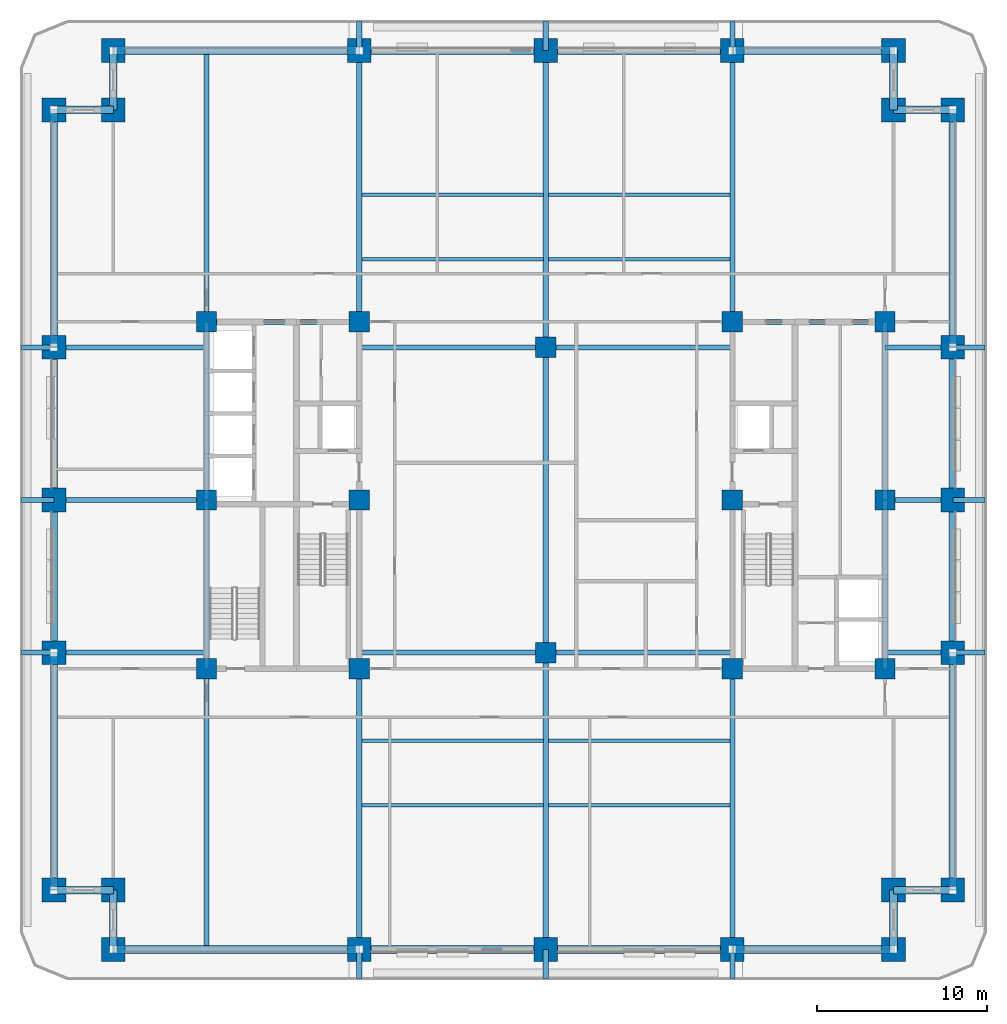
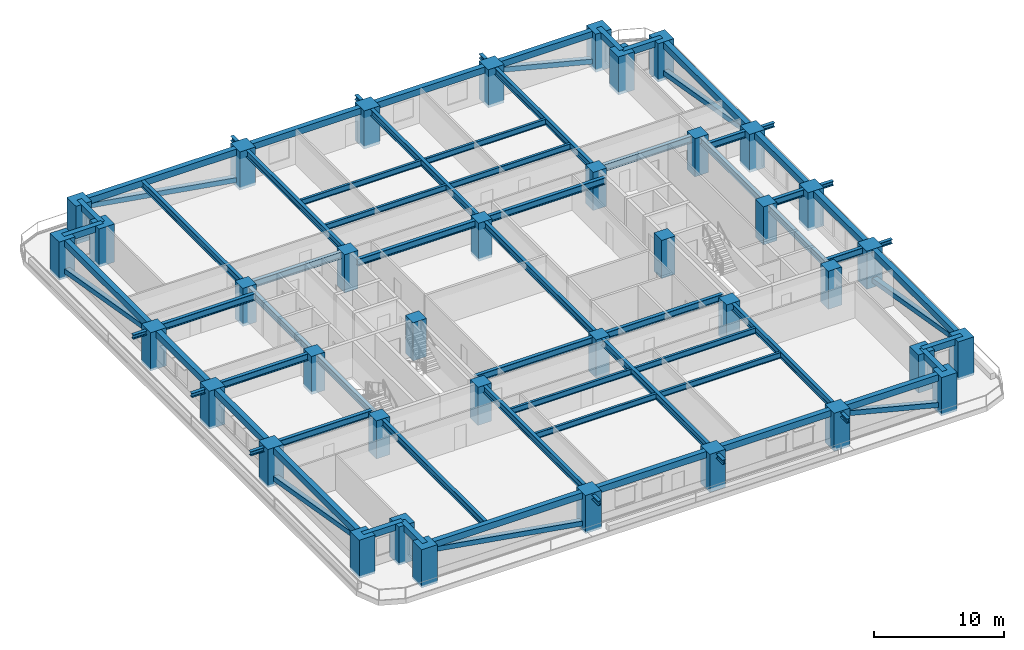
# One storey, part 1 of 14: 69 beams, 38 columns, 8 members.
"""IFC4 building model written with IfcOpenShell, lengths in metres."""

from ifc_helpers import new_model, si_unit, direction, frame, origin, origin_2d, place, context, subcontext, project, spatial, rectangle, hollow_rectangle, i_section, extrude, material, material_profile, profile_set, type_object, element, save


model = new_model("IFC4")

# Units and contexts
model_context = context("Model", 3, precision=1e-05, world=origin(), true_north=direction((0.0, 1.0)))
body_context = subcontext(model_context, "Body", "Model", "MODEL_VIEW")
ifc_project = project(units=[si_unit("LENGTHUNIT", "METRE"), si_unit("AREAUNIT", "SQUARE_METRE"), si_unit("VOLUMEUNIT", "CUBIC_METRE"), si_unit("PLANEANGLEUNIT", "RADIAN"), si_unit("MASSUNIT", "GRAM", prefix="KILO")], contexts=[model_context])

# Site, building, storey
site_placement = place(None, origin())
site = spatial("IfcSite", under=ifc_project, at=site_placement, CompositionType="ELEMENT")
building_placement = place(site_placement, origin())
building = spatial("IfcBuilding", under=site, at=building_placement, Name="Zulmaris Gate Convention Tower", CompositionType="ELEMENT")
storey_placement = place(building_placement, frame((0.0, 0.0, 64.329833984375)))
storey = spatial("IfcBuildingStorey", under=building, at=storey_placement, Name="L15", CompositionType="ELEMENT", Elevation=64.329833984375)

# Columns
ifc_material_1 = material(Name="Concrete C70/85", Category="concrete")
ifc_material_profile_1 = material_profile(ifc_material_1, rectangle(XDim=1.199951171875, YDim=1.199951171875, at=origin_2d()), Name="RC COL 1200x1200")
ifc_profile_set_1 = profile_set([ifc_material_profile_1], Name="Concrete C70/85")
column_type_1 = type_object("IfcColumnType", Name="COL-RC1200", PredefinedType="COLUMN", material=ifc_profile_set_1)
for number, where, z_axis, x_axis, name in (
    (1, (-20.0, -9.949951171875, -0.25), (0.0, 0.0, 1.0), (1.0, 0.0, 0.0), "L15 Column IN--20.00_-9.95"),
    (2, (-20.0, 10.5, -0.25), (0.0, 0.0, 1.0), (1.0, 0.0, 0.0), "L15 Column IN--20.00_+10.50"),
    (3, (-11.0, -9.949951171875, -0.25), (0.0, 0.0, 1.0), (1.0, 0.0, 0.0), "L15 Column IN--11.00_-9.95"),
    (4, (-11.0, 0.0, -0.25), (0.0, 0.0, 1.0), (1.0, 0.0, 0.0), "L15 Column IN--11.00_+0.00"),
    (5, (-11.0, 10.5, -0.25), (0.0, 0.0, 1.0), (1.0, 0.0, 0.0), "L15 Column IN--11.00_+10.50"),
    (6, (11.0, -9.949951171875, -0.25), (0.0, 0.0, 1.0), (1.0, 0.0, 0.0), "L15 Column IN-+11.00_-9.95"),
    (7, (11.0, 0.0, -0.25), (0.0, 0.0, 1.0), (1.0, 0.0, 0.0), "L15 Column IN-+11.00_+0.00"),
    (8, (11.0, 10.5, -0.25), (0.0, 0.0, 1.0), (1.0, 0.0, 0.0), "L15 Column IN-+11.00_+10.50"),
    (9, (20.0, -9.949951171875, -0.25), (0.0, 0.0, 1.0), (1.0, 0.0, 0.0), "L15 Column IN-+20.00_-9.95"),
    (10, (20.0, 10.5, -0.25), (0.0, 0.0, 1.0), (1.0, 0.0, 0.0), "L15 Column IN-+20.00_+10.50"),
    (11, (0.0, -9.0, -0.25), (0.0, 0.0, 1.0), (1.0, 0.0, 0.0), "L15 Column IN-+0.00_-9.00"),
    (12, (0.0, 9.0, -0.25), (0.0, 0.0, 1.0), (1.0, 0.0, 0.0), "L15 Column IN-+0.00_+9.00"),
    (13, (-20.0, 0.0, -0.25), (0.0, 0.0, 1.0), (1.0, 0.0, 0.0), "L15 Column IN--20.00_+0.00"),
    (14, (20.0, 0.0, -0.25), (0.0, 0.0, 1.0), (1.0, 0.0, 0.0), "L15 Column IN-+20.00_+0.00"),
):
    element("IfcColumn", number, at=place(storey_placement, frame(where, z_axis=z_axis, x_axis=x_axis)), inside=storey, type_object=column_type_1, Name=name, PredefinedType="COLUMN", context=body_context, shape_type="SweptSolid", body=[
        extrude(rectangle(XDim=1.199951171875, YDim=1.199951171875, at=origin_2d()), origin(), (0.0, 0.0, 1.0), 3.570068359375),
    ])
ifc_material_2 = material(Name="Concrete C80/95", Category="concrete")
ifc_material_profile_2 = material_profile(ifc_material_2, rectangle(XDim=1.39990234375, YDim=1.39990234375, at=origin_2d()), Name="RC COL 1400x1400")
ifc_profile_set_2 = profile_set([ifc_material_profile_2], Name="Concrete C80/95")
column_type_2 = type_object("IfcColumnType", Name="COL-RC1400", PredefinedType="COLUMN", material=ifc_profile_set_2)
for number, where, z_axis, x_axis, name in (
    (15, (-25.5, -26.5, -0.25), (0.0, 0.0, 1.0), (1.0, 0.0, 0.0), "L15 Column PT--25.50_-26.50"),
    (16, (-11.0, -26.5, -0.25), (0.0, 0.0, 1.0), (1.0, 0.0, 0.0), "L15 Column PT--11.00_-26.50"),
    (17, (0.0, -26.5, -0.25), (0.0, 0.0, 1.0), (1.0, 0.0, 0.0), "L15 Column PT-+0.00_-26.50"),
    (18, (11.0, -26.5, -0.25), (0.0, 0.0, 1.0), (1.0, 0.0, 0.0), "L15 Column PT-+11.00_-26.50"),
    (19, (20.5, -26.5, -0.25), (0.0, 0.0, 1.0), (1.0, 0.0, 0.0), "L15 Column PT-+20.50_-26.50"),
    (20, (-25.5, 26.5, -0.25), (0.0, 0.0, 1.0), (1.0, 0.0, 0.0), "L15 Column PT--25.50_+26.50"),
    (21, (-11.0, 26.5, -0.25), (0.0, 0.0, 1.0), (1.0, 0.0, 0.0), "L15 Column PT--11.00_+26.50"),
    (22, (0.0, 26.5, -0.25), (0.0, 0.0, 1.0), (1.0, 0.0, 0.0), "L15 Column PT-+0.00_+26.50"),
    (23, (11.0, 26.5, -0.25), (0.0, 0.0, 1.0), (1.0, 0.0, 0.0), "L15 Column PT-+11.00_+26.50"),
    (24, (20.5, 26.5, -0.25), (0.0, 0.0, 1.0), (1.0, 0.0, 0.0), "L15 Column PT-+20.50_+26.50"),
    (25, (-29.0, -23.0, -0.25), (0.0, 0.0, 1.0), (1.0, 0.0, 0.0), "L15 Column PT--29.00_-23.00"),
    (26, (-29.0, -9.0, -0.25), (0.0, 0.0, 1.0), (1.0, 0.0, 0.0), "L15 Column PT--29.00_-9.00"),
    (27, (-29.0, 0.0, -0.25), (0.0, 0.0, 1.0), (1.0, 0.0, 0.0), "L15 Column PT--29.00_+0.00"),
    (28, (-29.0, 9.0, -0.25), (0.0, 0.0, 1.0), (1.0, 0.0, 0.0), "L15 Column PT--29.00_+9.00"),
    (29, (-29.0, 23.0, -0.25), (0.0, 0.0, 1.0), (1.0, 0.0, 0.0), "L15 Column PT--29.00_+23.00"),
    (30, (24.0, -23.0, -0.25), (0.0, 0.0, 1.0), (1.0, 0.0, 0.0), "L15 Column PT-+24.00_-23.00"),
    (31, (24.0, -9.0, -0.25), (0.0, 0.0, 1.0), (1.0, 0.0, 0.0), "L15 Column PT-+24.00_-9.00"),
    (32, (24.0, 0.0, -0.25), (0.0, 0.0, 1.0), (1.0, 0.0, 0.0), "L15 Column PT-+24.00_+0.00"),
    (33, (24.0, 9.0, -0.25), (0.0, 0.0, 1.0), (1.0, 0.0, 0.0), "L15 Column PT-+24.00_+9.00"),
    (34, (24.0, 23.0, -0.25), (0.0, 0.0, 1.0), (1.0, 0.0, 0.0), "L15 Column PT-+24.00_+23.00"),
    (35, (-25.5, -23.0, -0.25), (0.0, 0.0, 1.0), (1.0, 0.0, 0.0), "L15 Column PT--25.50_-23.00"),
    (36, (20.5, -23.0, -0.25), (0.0, 0.0, 1.0), (1.0, 0.0, 0.0), "L15 Column PT-+20.50_-23.00"),
    (37, (20.5, 23.0, -0.25), (0.0, 0.0, 1.0), (1.0, 0.0, 0.0), "L15 Column PT-+20.50_+23.00"),
    (38, (-25.5, 23.0, -0.25), (0.0, 0.0, 1.0), (1.0, 0.0, 0.0), "L15 Column PT--25.50_+23.00"),
):
    element("IfcColumn", number, at=place(storey_placement, frame(where, z_axis=z_axis, x_axis=x_axis)), inside=storey, type_object=column_type_2, Name=name, PredefinedType="COLUMN", context=body_context, shape_type="SweptSolid", body=[
        extrude(rectangle(XDim=1.39990234375, YDim=1.39990234375, at=origin_2d()), origin(), (0.0, 0.0, 1.0), 3.570068359375),
    ])

# Beams
ifc_material_3 = material(Name="Steel S355", Category="steel")
ifc_material_profile_3 = material_profile(ifc_material_3, i_section(OverallWidth=0.300048828125, OverallDepth=0.39990234375, WebThickness=0.013427734375, FlangeThickness=0.02392578125, FilletRadius=0.027099609375, at=origin_2d()), Name="HEB 400")
ifc_profile_set_3 = profile_set([ifc_material_profile_3], Name="Steel S355")
beam_type_1 = type_object("IfcBeamType", Name="BM-HEB400", PredefinedType="BEAM", material=ifc_profile_set_3)
for number, where, z_axis, x_axis, name in (
    (39, (-11.0, -28.199951171875, 2.97998046875), (0.0, 1.0, 0.0), (-1.0, 0.0, 0.0), "L15 Beam TBRK-L15-S--11"),
    (40, (-11.0, 26.5, 2.97998046875), (0.0, 1.0, 0.0), (-1.0, 0.0, 0.0), "L15 Beam TBRK-L15-N--11"),
    (41, (0.0, -28.199951171875, 2.97998046875), (0.0, 1.0, 0.0), (-1.0, 0.0, 0.0), "L15 Beam TBRK-L15-S-+0"),
    (42, (0.0, 26.5, 2.97998046875), (0.0, 1.0, 0.0), (-1.0, 0.0, 0.0), "L15 Beam TBRK-L15-N-+0"),
    (43, (11.0, -28.199951171875, 2.97998046875), (0.0, 1.0, 0.0), (-1.0, 0.0, 0.0), "L15 Beam TBRK-L15-S-+11"),
    (44, (11.0, 26.5, 2.97998046875), (0.0, 1.0, 0.0), (-1.0, 0.0, 0.0), "L15 Beam TBRK-L15-N-+11"),
):
    element("IfcBeam", number, at=place(storey_placement, frame(where, z_axis=z_axis, x_axis=x_axis)), inside=storey, type_object=beam_type_1, Name=name, PredefinedType="BEAM", context=body_context, shape_type="SweptSolid", body=[
        extrude(i_section(OverallWidth=0.300048828125, OverallDepth=0.39990234375, WebThickness=0.013427734375, FlangeThickness=0.02392578125, FilletRadius=0.027099609375, at=origin_2d()), origin(), (0.0, 0.0, 1.0), 1.699951171875),
    ])
for number, where, z_axis, x_axis, name in (
    (45, (-30.89990234375, -9.0, 2.97998046875), (1.0, 0.0, 0.0), (0.0, 1.0, 0.0), "L15 Beam TBRK-L15-W--9"),
    (46, (24.0, -9.0, 2.97998046875), (1.0, 0.0, 0.0), (0.0, 1.0, 0.0), "L15 Beam TBRK-L15-E--9"),
    (47, (-30.89990234375, 0.0, 2.97998046875), (1.0, 0.0, 0.0), (0.0, 1.0, 0.0), "L15 Beam TBRK-L15-W-+0"),
    (48, (24.0, 0.0, 2.97998046875), (1.0, 0.0, 0.0), (0.0, 1.0, 0.0), "L15 Beam TBRK-L15-E-+0"),
    (49, (-30.89990234375, 9.0, 2.97998046875), (1.0, 0.0, 0.0), (0.0, 1.0, 0.0), "L15 Beam TBRK-L15-W-+9"),
    (50, (24.0, 9.0, 2.97998046875), (1.0, 0.0, 0.0), (0.0, 1.0, 0.0), "L15 Beam TBRK-L15-E-+9"),
):
    element("IfcBeam", number, at=place(storey_placement, frame(where, z_axis=z_axis, x_axis=x_axis)), inside=storey, type_object=beam_type_1, Name=name, PredefinedType="BEAM", context=body_context, shape_type="SweptSolid", body=[
        extrude(i_section(OverallWidth=0.300048828125, OverallDepth=0.39990234375, WebThickness=0.013427734375, FlangeThickness=0.02392578125, FilletRadius=0.027099609375, at=origin_2d()), origin(), (0.0, 0.0, 1.0), 1.89990234375),
    ])
ifc_material_profile_4 = material_profile(ifc_material_3, i_section(OverallWidth=0.300048828125, OverallDepth=0.64990234375, WebThickness=0.01611328125, FlangeThickness=0.031005859375, FilletRadius=0.027099609375, at=origin_2d()), Name="HEB 650")
ifc_profile_set_4 = profile_set([ifc_material_profile_4], Name="Steel S355")
beam_type_2 = type_object("IfcBeamType", Name="BM-HEB650", PredefinedType="BEAM", material=ifc_profile_set_4)
for number, where, z_axis, x_axis, name in (
    (51, (-11.0, -9.0, 2.9931640625), (1.0, 0.0, 0.0), (0.0, 1.0, 0.0), "L15 Beam BM-L15-G01"),
    (52, (0.0, -9.0, 2.9931640625), (1.0, 0.0, 0.0), (0.0, 1.0, 0.0), "L15 Beam BM-L15-G02"),
    (53, (-11.0, 9.0, 2.9931640625), (1.0, 0.0, 0.0), (0.0, 1.0, 0.0), "L15 Beam BM-L15-G03"),
    (54, (0.0, 9.0, 2.9931640625), (1.0, 0.0, 0.0), (0.0, 1.0, 0.0), "L15 Beam BM-L15-G04"),
):
    element("IfcBeam", number, at=place(storey_placement, frame(where, z_axis=z_axis, x_axis=x_axis)), inside=storey, type_object=beam_type_2, Name=name, PredefinedType="BEAM", context=body_context, shape_type="SweptSolid", body=[
        extrude(i_section(OverallWidth=0.300048828125, OverallDepth=0.64990234375, WebThickness=0.01611328125, FlangeThickness=0.031005859375, FilletRadius=0.027099609375, at=origin_2d()), origin(), (0.0, 0.0, 1.0), 11.0),
    ])
beam_1_placement = place(storey_placement, frame((0.0, -26.5, 2.9931640625), z_axis=(0.0, 1.0, 0.0), x_axis=(-1.0, 0.0, 0.0)))
element("IfcBeam", 55, at=beam_1_placement, inside=storey, type_object=beam_type_2, Name="L15 Beam BM-L15-G05", PredefinedType="BEAM", context=body_context, shape_type="SweptSolid", body=[
    extrude(i_section(OverallWidth=0.300048828125, OverallDepth=0.64990234375, WebThickness=0.01611328125, FlangeThickness=0.031005859375, FilletRadius=0.027099609375, at=origin_2d()), origin(), (0.0, 0.0, 1.0), 17.5),
])
beam_2_placement = place(storey_placement, frame((0.0, -9.0, 2.9931640625), z_axis=(0.0, 1.0, 0.0), x_axis=(-1.0, 0.0, 0.0)))
element("IfcBeam", 56, at=beam_2_placement, inside=storey, type_object=beam_type_2, Name="L15 Beam BM-L15-G06", PredefinedType="BEAM", context=body_context, shape_type="SweptSolid", body=[
    extrude(i_section(OverallWidth=0.300048828125, OverallDepth=0.64990234375, WebThickness=0.01611328125, FlangeThickness=0.031005859375, FilletRadius=0.027099609375, at=origin_2d()), origin(), (0.0, 0.0, 1.0), 18.0),
])
beam_3_placement = place(storey_placement, frame((0.0, 9.0, 2.9931640625), z_axis=(0.0, 1.0, 0.0), x_axis=(-1.0, 0.0, 0.0)))
element("IfcBeam", 57, at=beam_3_placement, inside=storey, type_object=beam_type_2, Name="L15 Beam BM-L15-G07", PredefinedType="BEAM", context=body_context, shape_type="SweptSolid", body=[
    extrude(i_section(OverallWidth=0.300048828125, OverallDepth=0.64990234375, WebThickness=0.01611328125, FlangeThickness=0.031005859375, FilletRadius=0.027099609375, at=origin_2d()), origin(), (0.0, 0.0, 1.0), 17.5),
])
beam_4_placement = place(storey_placement, frame((-11.0, -26.5, 2.9931640625), z_axis=(0.0, 1.0, 0.0), x_axis=(-1.0, 0.0, 0.0)))
element("IfcBeam", 58, at=beam_4_placement, inside=storey, type_object=beam_type_2, Name="L15 Beam BM-L15-G08", PredefinedType="BEAM", context=body_context, shape_type="SweptSolid", body=[
    extrude(i_section(OverallWidth=0.300048828125, OverallDepth=0.64990234375, WebThickness=0.01611328125, FlangeThickness=0.031005859375, FilletRadius=0.027099609375, at=origin_2d()), origin(), (0.0, 0.0, 1.0), 16.550048828125),
])
beam_5_placement = place(storey_placement, frame((-11.0, 10.5, 2.9931640625), z_axis=(0.0, 1.0, 0.0), x_axis=(-1.0, 0.0, 0.0)))
element("IfcBeam", 59, at=beam_5_placement, inside=storey, type_object=beam_type_2, Name="L15 Beam BM-L15-G09", PredefinedType="BEAM", context=body_context, shape_type="SweptSolid", body=[
    extrude(i_section(OverallWidth=0.300048828125, OverallDepth=0.64990234375, WebThickness=0.01611328125, FlangeThickness=0.031005859375, FilletRadius=0.027099609375, at=origin_2d()), origin(), (0.0, 0.0, 1.0), 16.0),
])
beam_6_placement = place(storey_placement, frame((11.0, -26.5, 2.9931640625), z_axis=(0.0, 1.0, 0.0), x_axis=(-1.0, 0.0, 0.0)))
element("IfcBeam", 60, at=beam_6_placement, inside=storey, type_object=beam_type_2, Name="L15 Beam BM-L15-G10", PredefinedType="BEAM", context=body_context, shape_type="SweptSolid", body=[
    extrude(i_section(OverallWidth=0.300048828125, OverallDepth=0.64990234375, WebThickness=0.01611328125, FlangeThickness=0.031005859375, FilletRadius=0.027099609375, at=origin_2d()), origin(), (0.0, 0.0, 1.0), 16.550048828125),
])
beam_7_placement = place(storey_placement, frame((11.0, 10.5, 2.9931640625), z_axis=(0.0, 1.0, 0.0), x_axis=(-1.0, 0.0, 0.0)))
element("IfcBeam", 61, at=beam_7_placement, inside=storey, type_object=beam_type_2, Name="L15 Beam BM-L15-G11", PredefinedType="BEAM", context=body_context, shape_type="SweptSolid", body=[
    extrude(i_section(OverallWidth=0.300048828125, OverallDepth=0.64990234375, WebThickness=0.01611328125, FlangeThickness=0.031005859375, FilletRadius=0.027099609375, at=origin_2d()), origin(), (0.0, 0.0, 1.0), 16.0),
])
beam_8_placement = place(storey_placement, frame((-20.0, -26.5, 2.9931640625), z_axis=(0.0, 1.0, 0.0), x_axis=(-1.0, 0.0, 0.0)))
element("IfcBeam", 62, at=beam_8_placement, inside=storey, type_object=beam_type_2, Name="L15 Beam BM-L15-G12", PredefinedType="BEAM", context=body_context, shape_type="SweptSolid", body=[
    extrude(i_section(OverallWidth=0.300048828125, OverallDepth=0.64990234375, WebThickness=0.01611328125, FlangeThickness=0.031005859375, FilletRadius=0.027099609375, at=origin_2d()), origin(), (0.0, 0.0, 1.0), 16.550048828125),
])
beam_9_placement = place(storey_placement, frame((-20.0, 10.5, 2.9931640625), z_axis=(0.0, 1.0, 0.0), x_axis=(-1.0, 0.0, 0.0)))
element("IfcBeam", 63, at=beam_9_placement, inside=storey, type_object=beam_type_2, Name="L15 Beam BM-L15-G13", PredefinedType="BEAM", context=body_context, shape_type="SweptSolid", body=[
    extrude(i_section(OverallWidth=0.300048828125, OverallDepth=0.64990234375, WebThickness=0.01611328125, FlangeThickness=0.031005859375, FilletRadius=0.027099609375, at=origin_2d()), origin(), (0.0, 0.0, 1.0), 16.0),
])
for number, where, z_axis, x_axis, name in (
    (64, (-29.0, -9.0, 2.9931640625), (1.0, 0.0, 0.0), (0.0, 1.0, 0.0), "L15 Beam BM-L15-G16"),
    (65, (-29.0, 0.0, 2.9931640625), (1.0, 0.0, 0.0), (0.0, 1.0, 0.0), "L15 Beam BM-L15-G17"),
    (66, (-29.0, 9.0, 2.9931640625), (1.0, 0.0, 0.0), (0.0, 1.0, 0.0), "L15 Beam BM-L15-G18"),
):
    element("IfcBeam", number, at=place(storey_placement, frame(where, z_axis=z_axis, x_axis=x_axis)), inside=storey, type_object=beam_type_2, Name=name, PredefinedType="BEAM", context=body_context, shape_type="SweptSolid", body=[
        extrude(i_section(OverallWidth=0.300048828125, OverallDepth=0.64990234375, WebThickness=0.01611328125, FlangeThickness=0.031005859375, FilletRadius=0.027099609375, at=origin_2d()), origin(), (0.0, 0.0, 1.0), 9.0),
    ])
for number, where, z_axis, x_axis, name in (
    (67, (20.0, -9.0, 2.9931640625), (1.0, 0.0, 0.0), (0.0, 1.0, 0.0), "L15 Beam BM-L15-G19"),
    (68, (20.0, 0.0, 2.9931640625), (1.0, 0.0, 0.0), (0.0, 1.0, 0.0), "L15 Beam BM-L15-G20"),
    (69, (20.0, 9.0, 2.9931640625), (1.0, 0.0, 0.0), (0.0, 1.0, 0.0), "L15 Beam BM-L15-G21"),
):
    element("IfcBeam", number, at=place(storey_placement, frame(where, z_axis=z_axis, x_axis=x_axis)), inside=storey, type_object=beam_type_2, Name=name, PredefinedType="BEAM", context=body_context, shape_type="SweptSolid", body=[
        extrude(i_section(OverallWidth=0.300048828125, OverallDepth=0.64990234375, WebThickness=0.01611328125, FlangeThickness=0.031005859375, FilletRadius=0.027099609375, at=origin_2d()), origin(), (0.0, 0.0, 1.0), 4.0),
    ])
for number, where, z_axis, x_axis, name in (
    (70, (-20.0, 10.5, 2.9931640625), (1.0, 0.0, 0.0), (0.0, 1.0, 0.0), "L15 Beam BM-L15-G23"),
    (71, (11.0, 10.5, 2.9931640625), (1.0, 0.0, 0.0), (0.0, 1.0, 0.0), "L15 Beam BM-L15-G25"),
):
    element("IfcBeam", number, at=place(storey_placement, frame(where, z_axis=z_axis, x_axis=x_axis)), inside=storey, type_object=beam_type_2, Name=name, PredefinedType="BEAM", context=body_context, shape_type="SweptSolid", body=[
        extrude(i_section(OverallWidth=0.300048828125, OverallDepth=0.64990234375, WebThickness=0.01611328125, FlangeThickness=0.031005859375, FilletRadius=0.027099609375, at=origin_2d()), origin(), (0.0, 0.0, 1.0), 9.0),
    ])
beam_10_placement = place(storey_placement, frame((-20.0, -9.949951171875, 2.9931640625), z_axis=(0.0, 1.0, 0.0), x_axis=(-1.0, 0.0, 0.0)))
element("IfcBeam", 72, at=beam_10_placement, inside=storey, type_object=beam_type_2, Name="L15 Beam BM-L15-G26", PredefinedType="BEAM", context=body_context, shape_type="SweptSolid", body=[
    extrude(i_section(OverallWidth=0.300048828125, OverallDepth=0.64990234375, WebThickness=0.01611328125, FlangeThickness=0.031005859375, FilletRadius=0.027099609375, at=origin_2d()), origin(), (0.0, 0.0, 1.0), 9.949951171875),
])
beam_11_placement = place(storey_placement, frame((-20.0, 0.0, 2.9931640625), z_axis=(0.0, 1.0, 0.0), x_axis=(-1.0, 0.0, 0.0)))
element("IfcBeam", 73, at=beam_11_placement, inside=storey, type_object=beam_type_2, Name="L15 Beam BM-L15-G27", PredefinedType="BEAM", context=body_context, shape_type="SweptSolid", body=[
    extrude(i_section(OverallWidth=0.300048828125, OverallDepth=0.64990234375, WebThickness=0.01611328125, FlangeThickness=0.031005859375, FilletRadius=0.027099609375, at=origin_2d()), origin(), (0.0, 0.0, 1.0), 10.5),
])
beam_12_placement = place(storey_placement, frame((20.0, -9.949951171875, 2.9931640625), z_axis=(0.0, 1.0, 0.0), x_axis=(-1.0, 0.0, 0.0)))
element("IfcBeam", 74, at=beam_12_placement, inside=storey, type_object=beam_type_2, Name="L15 Beam BM-L15-G28", PredefinedType="BEAM", context=body_context, shape_type="SweptSolid", body=[
    extrude(i_section(OverallWidth=0.300048828125, OverallDepth=0.64990234375, WebThickness=0.01611328125, FlangeThickness=0.031005859375, FilletRadius=0.027099609375, at=origin_2d()), origin(), (0.0, 0.0, 1.0), 9.949951171875),
])
beam_13_placement = place(storey_placement, frame((20.0, 0.0, 2.9931640625), z_axis=(0.0, 1.0, 0.0), x_axis=(-1.0, 0.0, 0.0)))
element("IfcBeam", 75, at=beam_13_placement, inside=storey, type_object=beam_type_2, Name="L15 Beam BM-L15-G29", PredefinedType="BEAM", context=body_context, shape_type="SweptSolid", body=[
    extrude(i_section(OverallWidth=0.300048828125, OverallDepth=0.64990234375, WebThickness=0.01611328125, FlangeThickness=0.031005859375, FilletRadius=0.027099609375, at=origin_2d()), origin(), (0.0, 0.0, 1.0), 10.5),
])
ifc_material_4 = material(Name="Precast concrete C50/60", Category="concrete")
ifc_material_profile_5 = material_profile(ifc_material_4, rectangle(XDim=0.449951171875, YDim=0.60009765625, at=origin_2d()), Name="RC SPANDREL 450x600")
ifc_profile_set_5 = profile_set([ifc_material_profile_5], Name="Precast concrete C50/60")
beam_type_3 = type_object("IfcBeamType", Name="BM-SP450x600", PredefinedType="SPANDREL", material=ifc_profile_set_5)
beam_14_placement = place(storey_placement, frame((-25.5, -26.5, 3.02001953125), z_axis=(1.0, 0.0, 0.0), x_axis=(0.0, 1.0, 0.0)))
element("IfcBeam", 76, at=beam_14_placement, inside=storey, type_object=beam_type_3, Name="L15 Spandrel SP-L15-01", PredefinedType="SPANDREL", context=body_context, shape_type="SweptSolid", body=[
    extrude(rectangle(XDim=0.449951171875, YDim=0.60009765625, at=origin_2d()), origin(), (0.0, 0.0, 1.0), 14.5),
])
for number, where, z_axis, x_axis, name in (
    (77, (-11.0, -26.5, 3.02001953125), (1.0, 0.0, 0.0), (0.0, 1.0, 0.0), "L15 Spandrel SP-L15-02"),
    (78, (0.0, -26.5, 3.02001953125), (1.0, 0.0, 0.0), (0.0, 1.0, 0.0), "L15 Spandrel SP-L15-03"),
):
    element("IfcBeam", number, at=place(storey_placement, frame(where, z_axis=z_axis, x_axis=x_axis)), inside=storey, type_object=beam_type_3, Name=name, PredefinedType="SPANDREL", context=body_context, shape_type="SweptSolid", body=[
        extrude(rectangle(XDim=0.449951171875, YDim=0.60009765625, at=origin_2d()), origin(), (0.0, 0.0, 1.0), 11.0),
    ])
beam_15_placement = place(storey_placement, frame((11.0, -26.5, 3.02001953125), z_axis=(1.0, 0.0, 0.0), x_axis=(0.0, 1.0, 0.0)))
element("IfcBeam", 79, at=beam_15_placement, inside=storey, type_object=beam_type_3, Name="L15 Spandrel SP-L15-04", PredefinedType="SPANDREL", context=body_context, shape_type="SweptSolid", body=[
    extrude(rectangle(XDim=0.449951171875, YDim=0.60009765625, at=origin_2d()), origin(), (0.0, 0.0, 1.0), 9.5),
])
for number, where, z_axis, x_axis, name in (
    (80, (20.5, -26.5, 3.02001953125), (0.0, 1.0, 0.0), (-1.0, 0.0, 0.0), "L15 Spandrel SP-L15-05"),
    (81, (20.5, -23.0, 3.02001953125), (1.0, 0.0, 0.0), (0.0, 1.0, 0.0), "L15 Spandrel SP-L15-06"),
):
    element("IfcBeam", number, at=place(storey_placement, frame(where, z_axis=z_axis, x_axis=x_axis)), inside=storey, type_object=beam_type_3, Name=name, PredefinedType="SPANDREL", context=body_context, shape_type="SweptSolid", body=[
        extrude(rectangle(XDim=0.449951171875, YDim=0.60009765625, at=origin_2d()), origin(), (0.0, 0.0, 1.0), 3.5),
    ])
beam_16_placement = place(storey_placement, frame((24.0, -23.0, 3.02001953125), z_axis=(0.0, 1.0, 0.0), x_axis=(-1.0, 0.0, 0.0)))
element("IfcBeam", 82, at=beam_16_placement, inside=storey, type_object=beam_type_3, Name="L15 Spandrel SP-L15-07", PredefinedType="SPANDREL", context=body_context, shape_type="SweptSolid", body=[
    extrude(rectangle(XDim=0.449951171875, YDim=0.60009765625, at=origin_2d()), origin(), (0.0, 0.0, 1.0), 14.0),
])
for number, where, z_axis, x_axis, name in (
    (83, (24.0, -9.0, 3.02001953125), (0.0, 1.0, 0.0), (-1.0, 0.0, 0.0), "L15 Spandrel SP-L15-08"),
    (84, (24.0, 0.0, 3.02001953125), (0.0, 1.0, 0.0), (-1.0, 0.0, 0.0), "L15 Spandrel SP-L15-09"),
):
    element("IfcBeam", number, at=place(storey_placement, frame(where, z_axis=z_axis, x_axis=x_axis)), inside=storey, type_object=beam_type_3, Name=name, PredefinedType="SPANDREL", context=body_context, shape_type="SweptSolid", body=[
        extrude(rectangle(XDim=0.449951171875, YDim=0.60009765625, at=origin_2d()), origin(), (0.0, 0.0, 1.0), 9.0),
    ])
beam_17_placement = place(storey_placement, frame((24.0, 9.0, 3.02001953125), z_axis=(0.0, 1.0, 0.0), x_axis=(-1.0, 0.0, 0.0)))
element("IfcBeam", 85, at=beam_17_placement, inside=storey, type_object=beam_type_3, Name="L15 Spandrel SP-L15-10", PredefinedType="SPANDREL", context=body_context, shape_type="SweptSolid", body=[
    extrude(rectangle(XDim=0.449951171875, YDim=0.60009765625, at=origin_2d()), origin(), (0.0, 0.0, 1.0), 14.0),
])
for number, where, z_axis, x_axis, name in (
    (86, (24.0, 23.0, 3.02001953125), (-1.0, 0.0, 0.0), (0.0, -1.0, 0.0), "L15 Spandrel SP-L15-11"),
    (87, (20.5, 23.0, 3.02001953125), (0.0, 1.0, 0.0), (-1.0, 0.0, 0.0), "L15 Spandrel SP-L15-12"),
):
    element("IfcBeam", number, at=place(storey_placement, frame(where, z_axis=z_axis, x_axis=x_axis)), inside=storey, type_object=beam_type_3, Name=name, PredefinedType="SPANDREL", context=body_context, shape_type="SweptSolid", body=[
        extrude(rectangle(XDim=0.449951171875, YDim=0.60009765625, at=origin_2d()), origin(), (0.0, 0.0, 1.0), 3.5),
    ])
beam_18_placement = place(storey_placement, frame((20.5, 26.5, 3.02001953125), z_axis=(-1.0, 0.0, 0.0), x_axis=(0.0, -1.0, 0.0)))
element("IfcBeam", 88, at=beam_18_placement, inside=storey, type_object=beam_type_3, Name="L15 Spandrel SP-L15-13", PredefinedType="SPANDREL", context=body_context, shape_type="SweptSolid", body=[
    extrude(rectangle(XDim=0.449951171875, YDim=0.60009765625, at=origin_2d()), origin(), (0.0, 0.0, 1.0), 9.5),
])
for number, where, z_axis, x_axis, name in (
    (89, (11.0, 26.5, 3.02001953125), (-1.0, 0.0, 0.0), (0.0, -1.0, 0.0), "L15 Spandrel SP-L15-14"),
    (90, (0.0, 26.5, 3.02001953125), (-1.0, 0.0, 0.0), (0.0, -1.0, 0.0), "L15 Spandrel SP-L15-15"),
):
    element("IfcBeam", number, at=place(storey_placement, frame(where, z_axis=z_axis, x_axis=x_axis)), inside=storey, type_object=beam_type_3, Name=name, PredefinedType="SPANDREL", context=body_context, shape_type="SweptSolid", body=[
        extrude(rectangle(XDim=0.449951171875, YDim=0.60009765625, at=origin_2d()), origin(), (0.0, 0.0, 1.0), 11.0),
    ])
beam_19_placement = place(storey_placement, frame((-11.0, 26.5, 3.02001953125), z_axis=(-1.0, 0.0, 0.0), x_axis=(0.0, -1.0, 0.0)))
element("IfcBeam", 91, at=beam_19_placement, inside=storey, type_object=beam_type_3, Name="L15 Spandrel SP-L15-16", PredefinedType="SPANDREL", context=body_context, shape_type="SweptSolid", body=[
    extrude(rectangle(XDim=0.449951171875, YDim=0.60009765625, at=origin_2d()), origin(), (0.0, 0.0, 1.0), 14.5),
])
for number, where, z_axis, x_axis, name in (
    (92, (-25.5, 26.5, 3.02001953125), (0.0, -1.0, 0.0), (1.0, 0.0, 0.0), "L15 Spandrel SP-L15-17"),
    (93, (-25.5, 23.0, 3.02001953125), (-1.0, 0.0, 0.0), (0.0, -1.0, 0.0), "L15 Spandrel SP-L15-18"),
):
    element("IfcBeam", number, at=place(storey_placement, frame(where, z_axis=z_axis, x_axis=x_axis)), inside=storey, type_object=beam_type_3, Name=name, PredefinedType="SPANDREL", context=body_context, shape_type="SweptSolid", body=[
        extrude(rectangle(XDim=0.449951171875, YDim=0.60009765625, at=origin_2d()), origin(), (0.0, 0.0, 1.0), 3.5),
    ])
beam_20_placement = place(storey_placement, frame((-29.0, 23.0, 3.02001953125), z_axis=(0.0, -1.0, 0.0), x_axis=(1.0, 0.0, 0.0)))
element("IfcBeam", 94, at=beam_20_placement, inside=storey, type_object=beam_type_3, Name="L15 Spandrel SP-L15-19", PredefinedType="SPANDREL", context=body_context, shape_type="SweptSolid", body=[
    extrude(rectangle(XDim=0.449951171875, YDim=0.60009765625, at=origin_2d()), origin(), (0.0, 0.0, 1.0), 14.0),
])
for number, where, z_axis, x_axis, name in (
    (95, (-29.0, 9.0, 3.02001953125), (0.0, -1.0, 0.0), (1.0, 0.0, 0.0), "L15 Spandrel SP-L15-20"),
    (96, (-29.0, 0.0, 3.02001953125), (0.0, -1.0, 0.0), (1.0, 0.0, 0.0), "L15 Spandrel SP-L15-21"),
):
    element("IfcBeam", number, at=place(storey_placement, frame(where, z_axis=z_axis, x_axis=x_axis)), inside=storey, type_object=beam_type_3, Name=name, PredefinedType="SPANDREL", context=body_context, shape_type="SweptSolid", body=[
        extrude(rectangle(XDim=0.449951171875, YDim=0.60009765625, at=origin_2d()), origin(), (0.0, 0.0, 1.0), 9.0),
    ])
beam_21_placement = place(storey_placement, frame((-29.0, -9.0, 3.02001953125), z_axis=(0.0, -1.0, 0.0), x_axis=(1.0, 0.0, 0.0)))
element("IfcBeam", 97, at=beam_21_placement, inside=storey, type_object=beam_type_3, Name="L15 Spandrel SP-L15-22", PredefinedType="SPANDREL", context=body_context, shape_type="SweptSolid", body=[
    extrude(rectangle(XDim=0.449951171875, YDim=0.60009765625, at=origin_2d()), origin(), (0.0, 0.0, 1.0), 14.0),
])
for number, where, z_axis, x_axis, name in (
    (98, (-29.0, -23.0, 3.02001953125), (1.0, 0.0, 0.0), (0.0, 1.0, 0.0), "L15 Spandrel SP-L15-23"),
    (99, (-25.5, -23.0, 3.02001953125), (0.0, -1.0, 0.0), (1.0, 0.0, 0.0), "L15 Spandrel SP-L15-24"),
):
    element("IfcBeam", number, at=place(storey_placement, frame(where, z_axis=z_axis, x_axis=x_axis)), inside=storey, type_object=beam_type_3, Name=name, PredefinedType="SPANDREL", context=body_context, shape_type="SweptSolid", body=[
        extrude(rectangle(XDim=0.449951171875, YDim=0.60009765625, at=origin_2d()), origin(), (0.0, 0.0, 1.0), 3.5),
    ])

# Members
ifc_material_5 = material(Name="Steel S460", Category="steel")
ifc_material_profile_6 = material_profile(ifc_material_5, hollow_rectangle(XDim=0.449951171875, YDim=0.449951171875, WallThickness=0.02490234375, at=origin_2d()), Name="SHS 450x450x25")
ifc_profile_set_6 = profile_set([ifc_material_profile_6], Name="Steel S460")
member_type = type_object("IfcMemberType", Name="BR-SHS450", PredefinedType="BRACE", material=ifc_profile_set_6)
for number, where, z_axis, x_axis, name in (
    (100, (-29.0, -9.0, 0.300048828125), (0.0, -0.985623399742, 0.168957136221), (1.0, 0.0, 0.0), "L15 Perimeter Tube Diagonal SW-W"),
    (101, (-29.0, 23.0, 0.300048828125), (0.0, -0.985623399742, 0.168957136221), (1.0, 0.0, 0.0), "L15 Perimeter Tube Diagonal NW-W"),
    (102, (24.0, -9.0, 0.300048828125), (0.0, -0.985623399742, 0.168957136221), (1.0, 0.0, 0.0), "L15 Perimeter Tube Diagonal SE-E"),
    (103, (24.0, 23.0, 0.300048828125), (0.0, -0.985623399742, 0.168957136221), (1.0, 0.0, 0.0), "L15 Perimeter Tube Diagonal NE-E"),
):
    element("IfcMember", number, at=place(storey_placement, frame(where, z_axis=z_axis, x_axis=x_axis)), inside=storey, type_object=member_type, Name=name, PredefinedType="BRACE", context=body_context, shape_type="SweptSolid", body=[
        extrude(hollow_rectangle(XDim=0.449951171875, YDim=0.449951171875, WallThickness=0.02490234375, at=origin_2d()), origin(), (0.0, 0.0, 1.0), 14.2041015625),
    ])
member_1_placement = place(storey_placement, frame((-11.0, -26.5, 0.300048828125), z_axis=(-0.986578268552, 0.0, 0.163289068896), x_axis=(0.0, -1.0, 0.0)))
element("IfcMember", 104, at=member_1_placement, inside=storey, type_object=member_type, Name="L15 Perimeter Tube Diagonal SW-S", PredefinedType="BRACE", context=body_context, shape_type="SweptSolid", body=[
    extrude(hollow_rectangle(XDim=0.449951171875, YDim=0.449951171875, WallThickness=0.02490234375, at=origin_2d()), origin(), (0.0, 0.0, 1.0), 14.697265625),
])
member_2_placement = place(storey_placement, frame((20.5, -26.5, 0.300048828125), z_axis=(-0.969541561087, 0.0, 0.244926848928), x_axis=(0.0, -1.0, 0.0)))
element("IfcMember", 105, at=member_2_placement, inside=storey, type_object=member_type, Name="L15 Perimeter Tube Diagonal SE-S", PredefinedType="BRACE", context=body_context, shape_type="SweptSolid", body=[
    extrude(hollow_rectangle(XDim=0.449951171875, YDim=0.449951171875, WallThickness=0.02490234375, at=origin_2d()), origin(), (0.0, 0.0, 1.0), 9.79833984375),
])
member_3_placement = place(storey_placement, frame((-11.0, 26.5, 0.300048828125), z_axis=(-0.986578268552, 0.0, 0.163289068896), x_axis=(0.0, -1.0, 0.0)))
element("IfcMember", 106, at=member_3_placement, inside=storey, type_object=member_type, Name="L15 Perimeter Tube Diagonal NW-N", PredefinedType="BRACE", context=body_context, shape_type="SweptSolid", body=[
    extrude(hollow_rectangle(XDim=0.449951171875, YDim=0.449951171875, WallThickness=0.02490234375, at=origin_2d()), origin(), (0.0, 0.0, 1.0), 14.697265625),
])
member_4_placement = place(storey_placement, frame((20.5, 26.5, 0.300048828125), z_axis=(-0.969541561087, 0.0, 0.244926848928), x_axis=(0.0, -1.0, 0.0)))
element("IfcMember", 107, at=member_4_placement, inside=storey, type_object=member_type, Name="L15 Perimeter Tube Diagonal NE-N", PredefinedType="BRACE", context=body_context, shape_type="SweptSolid", body=[
    extrude(hollow_rectangle(XDim=0.449951171875, YDim=0.449951171875, WallThickness=0.02490234375, at=origin_2d()), origin(), (0.0, 0.0, 1.0), 9.79833984375),
])

# Beams
ifc_material_profile_7 = material_profile(ifc_material_3, i_section(OverallWidth=0.2099609375, OverallDepth=0.550048828125, WebThickness=0.010986328125, FlangeThickness=0.01708984375, FilletRadius=0.02392578125, at=origin_2d()), Name="IPE 550")
ifc_profile_set_7 = profile_set([ifc_material_profile_7], Name="Steel S355")
beam_type_4 = type_object("IfcBeamType", Name="JT-IPE550", PredefinedType="JOIST", material=ifc_profile_set_7)
for number, where, z_axis, x_axis, name in (
    (108, (-10.85009765625, -18.0, 3.04296875), (1.0, 0.0, 0.0), (0.0, 1.0, 0.0), "L15 Joist JT-L15-CW--18.0"),
    (109, (0.14990234375, -18.0, 3.04296875), (1.0, 0.0, 0.0), (0.0, 1.0, 0.0), "L15 Joist JT-L15-CE--18.0"),
    (110, (-10.85009765625, -14.199951171875, 3.04296875), (1.0, 0.0, 0.0), (0.0, 1.0, 0.0), "L15 Joist JT-L15-CW--14.2"),
    (111, (0.14990234375, -14.199951171875, 3.04296875), (1.0, 0.0, 0.0), (0.0, 1.0, 0.0), "L15 Joist JT-L15-CE--14.2"),
    (112, (-10.85009765625, 14.199951171875, 3.04296875), (1.0, 0.0, 0.0), (0.0, 1.0, 0.0), "L15 Joist JT-L15-CW-+14.2"),
    (113, (0.14990234375, 14.199951171875, 3.04296875), (1.0, 0.0, 0.0), (0.0, 1.0, 0.0), "L15 Joist JT-L15-CE-+14.2"),
    (114, (-10.85009765625, 18.0, 3.04296875), (1.0, 0.0, 0.0), (0.0, 1.0, 0.0), "L15 Joist JT-L15-CW-+18.0"),
    (115, (0.14990234375, 18.0, 3.04296875), (1.0, 0.0, 0.0), (0.0, 1.0, 0.0), "L15 Joist JT-L15-CE-+18.0"),
):
    element("IfcBeam", number, at=place(storey_placement, frame(where, z_axis=z_axis, x_axis=x_axis)), inside=storey, type_object=beam_type_4, Name=name, PredefinedType="JOIST", context=body_context, shape_type="SweptSolid", body=[
        extrude(i_section(OverallWidth=0.2099609375, OverallDepth=0.550048828125, WebThickness=0.010986328125, FlangeThickness=0.01708984375, FilletRadius=0.02392578125, at=origin_2d()), origin(), (0.0, 0.0, 1.0), 10.7001953125),
    ])

save(model, "model.ifc")
